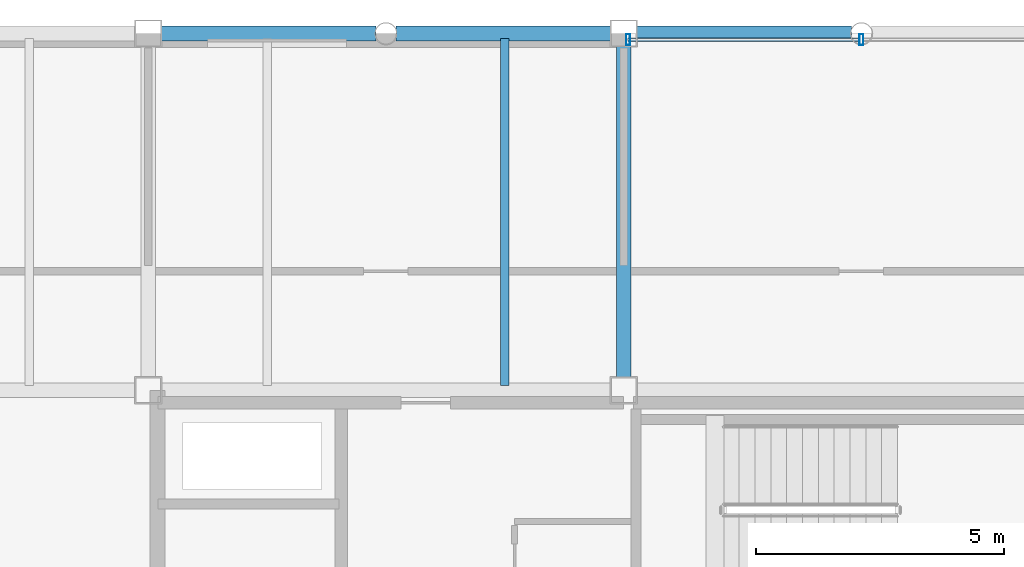
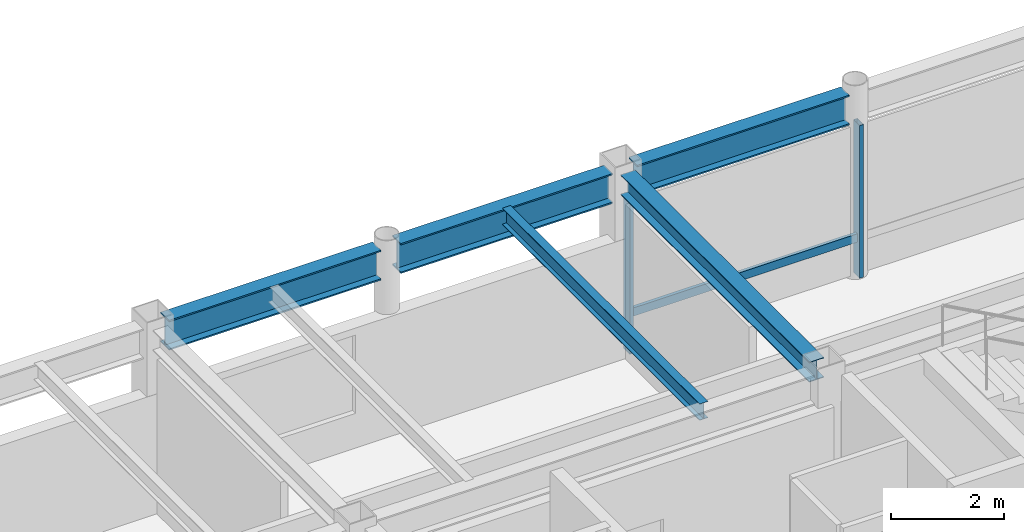
# One storey, part 13 of 21: 5 beams, 3 members, 1 element without a shape of its own.
"""IFC4 building model written with IfcOpenShell, lengths in metres."""

from ifc_helpers import new_model, si_unit, direction, frame, origin, origin_2d, place, context, subcontext, project, spatial, hollow_rectangle, i_section, extrude, material, layer, layer_set, material_profile, profile_set, type_object, element, aggregate, save


model = new_model("IFC4")

# Units and contexts
model_context = context("Model", 3, precision=1e-05, world=origin(), true_north=direction((0.0, 1.0)))
body_context = subcontext(model_context, "Body", "Model", "MODEL_VIEW")
ifc_project = project(units=[si_unit("LENGTHUNIT", "METRE"), si_unit("AREAUNIT", "SQUARE_METRE"), si_unit("VOLUMEUNIT", "CUBIC_METRE"), si_unit("PLANEANGLEUNIT", "RADIAN"), si_unit("MASSUNIT", "GRAM", prefix="KILO")], contexts=[model_context])

# Site, building, storey
site_placement = place(None, origin())
site = spatial("IfcSite", under=ifc_project, at=site_placement, CompositionType="ELEMENT")
building_placement = place(site_placement, origin())
building = spatial("IfcBuilding", under=site, at=building_placement, Name="Kallvorn Hotel Tower", CompositionType="ELEMENT")
storey_placement = place(building_placement, frame((0.0, 0.0, 286.39990234375)))
storey = spatial("IfcBuildingStorey", under=building, at=storey_placement, Name="L71", CompositionType="ELEMENT", Elevation=286.39990234375)

# Beams
ifc_material_1 = material(Name="Structural steel S355JR", Category="steel")
ifc_material_profile_1 = material_profile(ifc_material_1, i_section(OverallWidth=0.300048828125, OverallDepth=0.43994140625, WebThickness=0.011474609375, FlangeThickness=0.02099609375, at=origin_2d()), Name="HE 450 A")
ifc_profile_set_1 = profile_set([ifc_material_profile_1], Name="Structural steel S355JR")
beam_type_1 = type_object("IfcBeamType", Name="BM_HE450A", PredefinedType="BEAM", material=ifc_profile_set_1)
beam_1_placement = place(storey_placement, frame((-4.800048828125, 7.449951171875, 3.780029296875), z_axis=(0.0, 1.0, 0.0), x_axis=(-1.0, 0.0, 0.0)))
element("IfcBeam", 1, at=beam_1_placement, inside=storey, type_object=beam_type_1, Name="L72 Primary Y-Girder 39", PredefinedType="BEAM", context=body_context, shape_type="SweptSolid", body=[
    extrude(i_section(OverallWidth=0.300048828125, OverallDepth=0.43994140625, WebThickness=0.011474609375, FlangeThickness=0.02099609375, at=origin_2d()), origin(), (0.0, 0.0, 1.0), 6.699951171875),
])
ifc_material_2 = material(Name="Structural steel S355JR", Category="steel")
ifc_material_profile_2 = material_profile(ifc_material_2, i_section(OverallWidth=0.300048828125, OverallDepth=0.64990234375, WebThickness=0.01611328125, FlangeThickness=0.031005859375, at=origin_2d()), Name="HE 650 B")
ifc_profile_set_2 = profile_set([ifc_material_profile_2], Name="Structural steel S355JR")
beam_type_2 = type_object("IfcBeamType", Name="BM_HE650B", PredefinedType="BEAM", material=ifc_profile_set_2)
for number, where, z_axis, x_axis, name in (
    (2, (-14.14990234375, 14.39990234375, 3.675048828125), (1.0, 0.0, 0.0), (0.0, 1.0, 0.0), "L72 Primary X-Girder 18"),
    (3, (-9.396484375, 14.39990234375, 3.675048828125), (1.0, 0.0, 0.0), (0.0, 1.0, 0.0), "L72 Primary X-Girder 19"),
    (4, (-4.550048828125, 14.39990234375, 3.675048828125), (1.0, 0.0, 0.0), (0.0, 1.0, 0.0), "L72 Primary X-Girder 20"),
):
    element("IfcBeam", number, at=place(storey_placement, frame(where, z_axis=z_axis, x_axis=x_axis)), inside=storey, type_object=beam_type_2, Name=name, PredefinedType="BEAM", context=body_context, shape_type="SweptSolid", body=[
        extrude(i_section(OverallWidth=0.300048828125, OverallDepth=0.64990234375, WebThickness=0.01611328125, FlangeThickness=0.031005859375, at=origin_2d()), origin(), (0.0, 0.0, 1.0), 4.346435546875),
    ])
ifc_material_3 = material(Name="Structural steel S355JR", Category="steel")
ifc_material_profile_3 = material_profile(ifc_material_3, i_section(OverallWidth=0.169921875, OverallDepth=0.360107421875, WebThickness=0.008056640625, FlangeThickness=0.0126953125, at=origin_2d()), Name="IPE 360")
ifc_profile_set_3 = profile_set([ifc_material_profile_3], Name="Structural steel S355JR")
beam_type_3 = type_object("IfcBeamType", Name="BM_IPE360", PredefinedType="JOIST", material=ifc_profile_set_3)
beam_2_placement = place(storey_placement, frame((-7.199951171875, 7.300048828125, 3.820068359375), z_axis=(0.0, 1.0, 0.0), x_axis=(-1.0, 0.0, 0.0)))
element("IfcBeam", 5, at=beam_2_placement, inside=storey, type_object=beam_type_3, Name="L72 Secondary Composite Joist 97", PredefinedType="JOIST", context=body_context, shape_type="SweptSolid", body=[
    extrude(i_section(OverallWidth=0.169921875, OverallDepth=0.360107421875, WebThickness=0.008056640625, FlangeThickness=0.0126953125, at=origin_2d()), origin(), (0.0, 0.0, 1.0), 7.0),
])

# Curtain wall, members
ifc_material_4 = material(Name="Thermally broken black-anodised aluminium AA 6063-T6", Category="aluminium")
ifc_layer = layer(ifc_material_4, 0.25)
ifc_layer_set = layer_set([ifc_layer], Name="CW_SYS_6_SUMMIT_OBS")
curtain_wall_type = type_object("IfcCurtainWallType", Name="CW_SYS_6_SUMMIT_OBS", PredefinedType="USERDEFINED", material=ifc_layer_set)
curtain_wall_placement = place(storey_placement, origin())
curtain_wall = element("IfcCurtainWall", 6, at=curtain_wall_placement, inside=storey, type_object=curtain_wall_type, Name="L71 Dark-Glass Curtain Wall CW-L71-NC", ObjectType="UNITISED CURTAIN WALL", PredefinedType="USERDEFINED")
ifc_material_5 = material(Name="Thermally broken black-anodised aluminium AA 6063-T6", Category="aluminium")
ifc_material_profile_4 = material_profile(ifc_material_5, hollow_rectangle(XDim=0.080078125, YDim=0.219970703125, WallThickness=0.0048828125, at=origin_2d()), Name="MUL 220x80")
ifc_profile_set_4 = profile_set([ifc_material_profile_4], Name="Thermally broken black-anodised aluminium AA 6063-T6")
member_type_1 = type_object("IfcMemberType", Name="CW_MULLION_220x80", PredefinedType="MULLION", material=ifc_profile_set_4)
member_1_placement = place(storey_placement, frame((-4.7099609375, 14.280029296875, 0.02001953125), z_axis=(0.0, 0.0, 1.0), x_axis=(1.0, 0.0, 0.0)))
member_1 = element("IfcMember", 7, at=member_1_placement, type_object=member_type_1, Name="CW-L71-NC Mullion 00", PredefinedType="MULLION", context=body_context, shape_type="SweptSolid", body=[
    extrude(hollow_rectangle(XDim=0.080078125, YDim=0.219970703125, WallThickness=0.0048828125, at=origin_2d()), origin(), (0.0, 0.0, 1.0), 3.31005859375),
])
member_2_placement = place(storey_placement, frame((0.0, 14.280029296875, 0.02001953125), z_axis=(0.0, 0.0, 1.0), x_axis=(1.0, 0.0, 0.0)))
member_2 = element("IfcMember", 8, at=member_2_placement, type_object=member_type_1, Name="CW-L71-NC Mullion 01", PredefinedType="MULLION", context=body_context, shape_type="SweptSolid", body=[
    extrude(hollow_rectangle(XDim=0.080078125, YDim=0.219970703125, WallThickness=0.0048828125, at=origin_2d()), origin(), (0.0, 0.0, 1.0), 3.31005859375),
])
ifc_material_6 = material(Name="Thermally broken black-anodised aluminium AA 6063-T6", Category="aluminium")
ifc_material_profile_5 = material_profile(ifc_material_6, hollow_rectangle(XDim=0.070068359375, YDim=0.179931640625, WallThickness=0.00390625, at=origin_2d()), Name="TRN 180x70")
ifc_profile_set_5 = profile_set([ifc_material_profile_5], Name="Thermally broken black-anodised aluminium AA 6063-T6")
member_type_2 = type_object("IfcMemberType", Name="CW_TRANSOM_180x70", PredefinedType="USERDEFINED", material=ifc_profile_set_5)
member_3_placement = place(storey_placement, frame((-4.7099609375, 14.280029296875, 0.85009765625), z_axis=(1.0, 0.0, 0.0), x_axis=(0.0, 1.0, 0.0)))
member_3 = element("IfcMember", 9, at=member_3_placement, type_object=member_type_2, Name="CW-L71-NC Transom 00M", ObjectType="TRANSOM", PredefinedType="USERDEFINED", context=body_context, shape_type="SweptSolid", body=[
    extrude(hollow_rectangle(XDim=0.070068359375, YDim=0.179931640625, WallThickness=0.00390625, at=origin_2d()), origin(), (0.0, 0.0, 1.0), 4.669921875),
])
aggregate(curtain_wall, [member_1, member_2, member_3])

save(model, "model.ifc")
